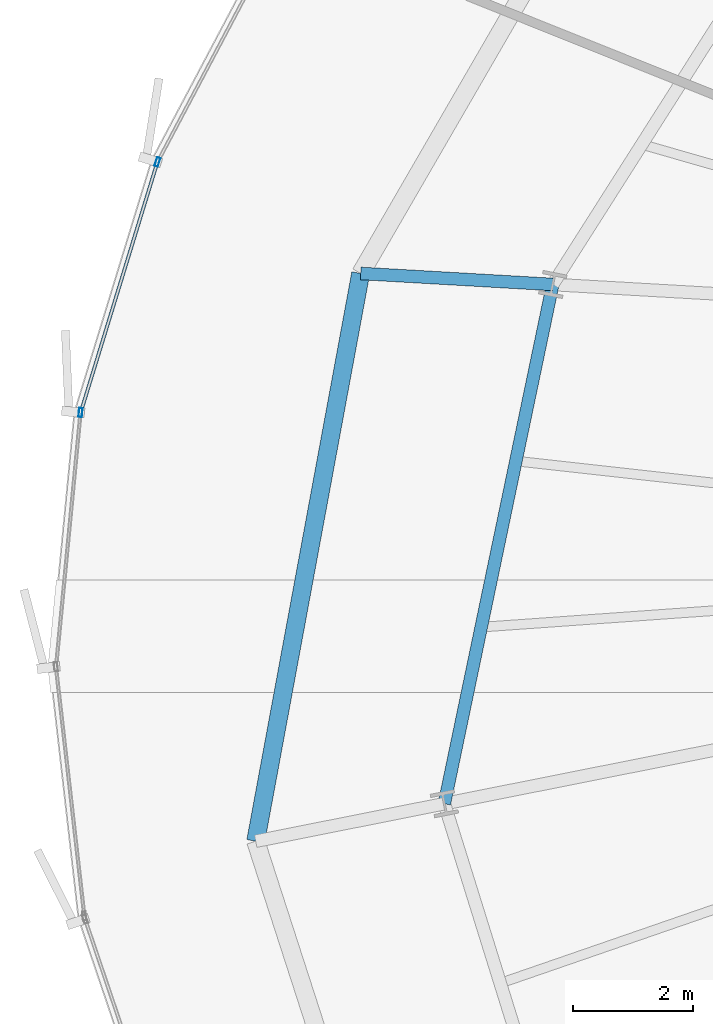
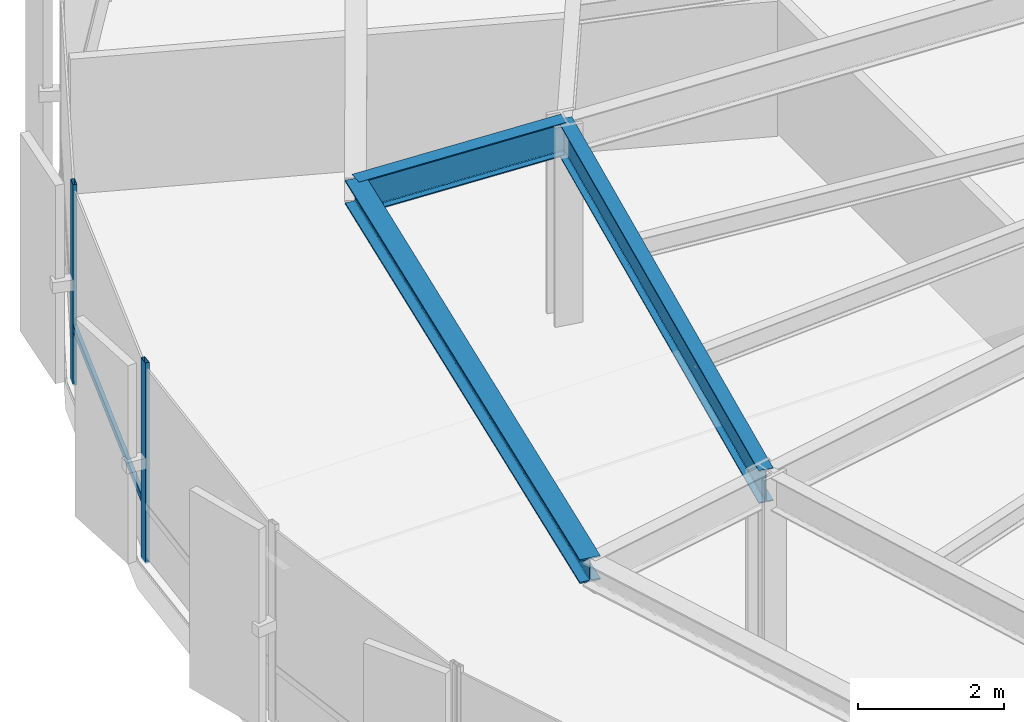
# One storey, part 9 of 35: 3 beams, 3 members, 1 element without a shape of its own.
"""IFC4 building model written with IfcOpenShell, lengths in metres."""

from ifc_helpers import new_model, si_unit, direction, frame, origin, origin_2d, place, context, subcontext, project, spatial, hollow_rectangle, i_section, extrude, source, transform, mapped, material, layer, layer_set, material_profile, profile_set, type_object, element, aggregate, save


model = new_model("IFC4")

# Units and contexts
model_context = context("Model", 3, precision=1e-05, world=origin(), true_north=direction((0.0, 1.0)))
body_context = subcontext(model_context, "Body", "Model", "MODEL_VIEW")
ifc_project = project(units=[si_unit("LENGTHUNIT", "METRE"), si_unit("AREAUNIT", "SQUARE_METRE"), si_unit("VOLUMEUNIT", "CUBIC_METRE"), si_unit("PLANEANGLEUNIT", "RADIAN"), si_unit("MASSUNIT", "GRAM", prefix="KILO"), si_unit("THERMODYNAMICTEMPERATUREUNIT", "KELVIN")], contexts=[model_context])

# Site, building, storey
site_placement = place(None, origin())
site = spatial("IfcSite", under=ifc_project, at=site_placement, CompositionType="ELEMENT")
building_placement = place(site_placement, origin())
building = spatial("IfcBuilding", under=site, at=building_placement, Name="Kethvar Cultural Tower", CompositionType="ELEMENT")
storey_placement = place(building_placement, frame((0.0, 0.0, 85.60009765625)))
storey = spatial("IfcBuildingStorey", under=building, at=storey_placement, Name="L20", CompositionType="ELEMENT", Elevation=85.60009765625)

# Beams
ifc_material_1 = material(Name="Steel S355J2", Category="steel")
ifc_material_profile_1 = material_profile(ifc_material_1, i_section(OverallWidth=0.2099609375, OverallDepth=0.550048828125, WebThickness=0.010986328125, FlangeThickness=0.01708984375, FilletRadius=0.02392578125, at=origin_2d()), Name="Steel S355J2 — IPE550")
ifc_profile_set_1 = profile_set([ifc_material_profile_1], Name="Steel S355J2 — IPE550")
beam_type_1 = type_object("IfcBeamType", Name="BM-IPE550", PredefinedType="BEAM", material=ifc_profile_set_1)
shared_shape_1 = source(origin(), body_context, "Body", "SweptSolid", [
    extrude(i_section(OverallWidth=0.2099609375, OverallDepth=0.550048828125, WebThickness=0.010986328125, FlangeThickness=0.01708984375, FilletRadius=0.02392578125, at=origin_2d()), origin(), (0.0, 0.0, 1.0), 3.2001953125),
])
beam_1_placement = place(storey_placement, frame((25.988525390625, 31.939697265625, 3.072998046875), z_axis=(-0.998357274949, 0.057295301352, 0.0), x_axis=(-0.057295301352, -0.998357274949, 0.0)))
element("IfcBeam", 1, at=beam_1_placement, inside=storey, type_object=beam_type_1, Name="L20 Perimeter Cantilever Beam RC-08", PredefinedType="BEAM", context=body_context, shape_type="MappedRepresentation", body=[
    mapped(shared_shape_1, transform((0.0, 0.0, 0.0), scale=1.0)),
])
shared_shape_2 = source(origin(), body_context, "Body", "SweptSolid", [
    extrude(i_section(OverallWidth=0.2099609375, OverallDepth=0.550048828125, WebThickness=0.010986328125, FlangeThickness=0.01708984375, FilletRadius=0.02392578125, at=origin_2d()), origin(), (0.0, 0.0, 1.0), 8.82421875),
])
beam_2_placement = place(storey_placement, frame((25.988525390625, 31.939697265625, 3.072998046875), z_axis=(-0.204350879122, -0.978897705688, 0.0), x_axis=(0.978897705688, -0.204350879122, 0.0)))
element("IfcBeam", 2, at=beam_2_placement, inside=storey, type_object=beam_type_1, Name="L20 Column Ring Tie Beam CR-08", PredefinedType="BEAM", context=body_context, shape_type="MappedRepresentation", body=[
    mapped(shared_shape_2, transform((0.0, 0.0, 0.0), scale=1.0)),
])
ifc_material_profile_2 = material_profile(ifc_material_1, i_section(OverallWidth=0.300048828125, OverallDepth=0.39990234375, WebThickness=0.013427734375, FlangeThickness=0.02392578125, FilletRadius=0.027099609375, at=origin_2d()), Name="Steel S355J2 — HEB400")
ifc_profile_set_2 = profile_set([ifc_material_profile_2], Name="Steel S355J2 — HEB400")
beam_type_2 = type_object("IfcBeamType", Name="BM-SP400", PredefinedType="SPANDREL", material=ifc_profile_set_2)
shared_shape_3 = source(origin(), body_context, "Body", "SweptSolid", [
    extrude(i_section(OverallWidth=0.300048828125, OverallDepth=0.39990234375, WebThickness=0.013427734375, FlangeThickness=0.02392578125, FilletRadius=0.027099609375, at=origin_2d()), origin(), (0.0, 0.0, 1.0), 9.605712890625),
])
beam_3_placement = place(storey_placement, frame((22.793701171875, 32.123046875, 3.14794921875), z_axis=(-0.1818526217, -0.983325797476, 0.0), x_axis=(0.983325797476, -0.1818526217, 0.0)))
element("IfcBeam", 3, at=beam_3_placement, inside=storey, type_object=beam_type_2, Name="L20 Perimeter Spandrel Beam SP-08", PredefinedType="SPANDREL", context=body_context, shape_type="MappedRepresentation", body=[
    mapped(shared_shape_3, transform((0.0, 0.0, 0.0), scale=1.0)),
])

# Curtain wall, members
ifc_material_2 = material(Name="Aluminium 6063-T6", Category="aluminium")
ifc_layer = layer(ifc_material_2, 0.179931640625, Name="Aluminium 6063-T6", Category="aluminium")
ifc_layer_set = layer_set([ifc_layer], Name="Aluminium 6063-T6 (180 mm)")
curtain_wall_type = type_object("IfcCurtainWallType", Name="CW-SYS-03-Z2", PredefinedType="NOTDEFINED", material=ifc_layer_set)
curtain_wall_placement = place(storey_placement, origin())
curtain_wall = element("IfcCurtainWall", 4, at=curtain_wall_placement, inside=storey, type_object=curtain_wall_type, Name="L20 Curtain Wall Run 03", PredefinedType="NOTDEFINED")
ifc_material_profile_3 = material_profile(ifc_material_2, hollow_rectangle(XDim=0.06005859375, YDim=0.14990234375, WallThickness=0.0048828125, at=origin_2d()), Name="Aluminium 6063-T6 — RHS150x60x5")
ifc_profile_set_3 = profile_set([ifc_material_profile_3], Name="Aluminium 6063-T6 — RHS150x60x5")
member_type_1 = type_object("IfcMemberType", Name="CW-SYS-03-Z2-MUL", PredefinedType="MULLION", material=ifc_profile_set_3)
shared_shape_4 = source(origin(), body_context, "Body", "SweptSolid", [
    extrude(hollow_rectangle(XDim=0.06005859375, YDim=0.14990234375, WallThickness=0.0048828125, at=origin_2d()), origin(), (0.0, 0.0, 1.0), 3.349853515625),
])
member_1_placement = place(storey_placement, frame((19.41259765625, 33.977294921875, 0.0), z_axis=(0.0, 0.0, 1.0), x_axis=(0.956141315658, -0.292905760428, 0.0)))
member_1 = element("IfcMember", 5, at=member_1_placement, type_object=member_type_1, Name="CW-L20-R03 Mullion 4", PredefinedType="MULLION", context=body_context, shape_type="MappedRepresentation", body=[
    mapped(shared_shape_4, transform((0.0, 0.0, 0.0), scale=1.0)),
])
member_2_placement = place(storey_placement, frame((18.133056640625, 29.80859375, 0.0), z_axis=(0.0, 0.0, 1.0), x_axis=(0.995394525392, -0.095863125447, 0.0)))
member_2 = element("IfcMember", 6, at=member_2_placement, type_object=member_type_1, Name="CW-L20-R03 Mullion 5", PredefinedType="MULLION", context=body_context, shape_type="MappedRepresentation", body=[
    mapped(shared_shape_4, transform((0.0, 0.0, 0.0), scale=1.0)),
])
ifc_material_profile_4 = material_profile(ifc_material_2, hollow_rectangle(XDim=0.054931640625, YDim=0.1201171875, WallThickness=0.00390625, at=origin_2d()), Name="Aluminium 6063-T6 — RHS120x55x4")
ifc_profile_set_4 = profile_set([ifc_material_profile_4], Name="Aluminium 6063-T6 — RHS120x55x4")
member_type_2 = type_object("IfcMemberType", Name="CW-SYS-03-Z2-TRN", PredefinedType="USERDEFINED", material=ifc_profile_set_4)
shared_shape_5 = source(origin(), body_context, "Body", "SweptSolid", [
    extrude(hollow_rectangle(XDim=0.054931640625, YDim=0.1201171875, WallThickness=0.00390625, at=origin_2d()), origin(), (0.0, 0.0, 1.0), 4.29736328125),
])
member_3_placement = place(storey_placement, frame((19.39990234375, 33.93603515625, 0.949951171875), z_axis=(-0.292919920236, -0.956136977807, 0.0), x_axis=(0.956136977807, -0.292919920236, 0.0)))
member_3 = element("IfcMember", 7, at=member_3_placement, type_object=member_type_2, Name="CW-L20-R03 Transom 4", ObjectType="TRANSOM", PredefinedType="USERDEFINED", context=body_context, shape_type="MappedRepresentation", body=[
    mapped(shared_shape_5, transform((0.0, 0.0, 0.0), scale=1.0)),
])
aggregate(curtain_wall, [member_1, member_2, member_3])

save(model, "model.ifc")
